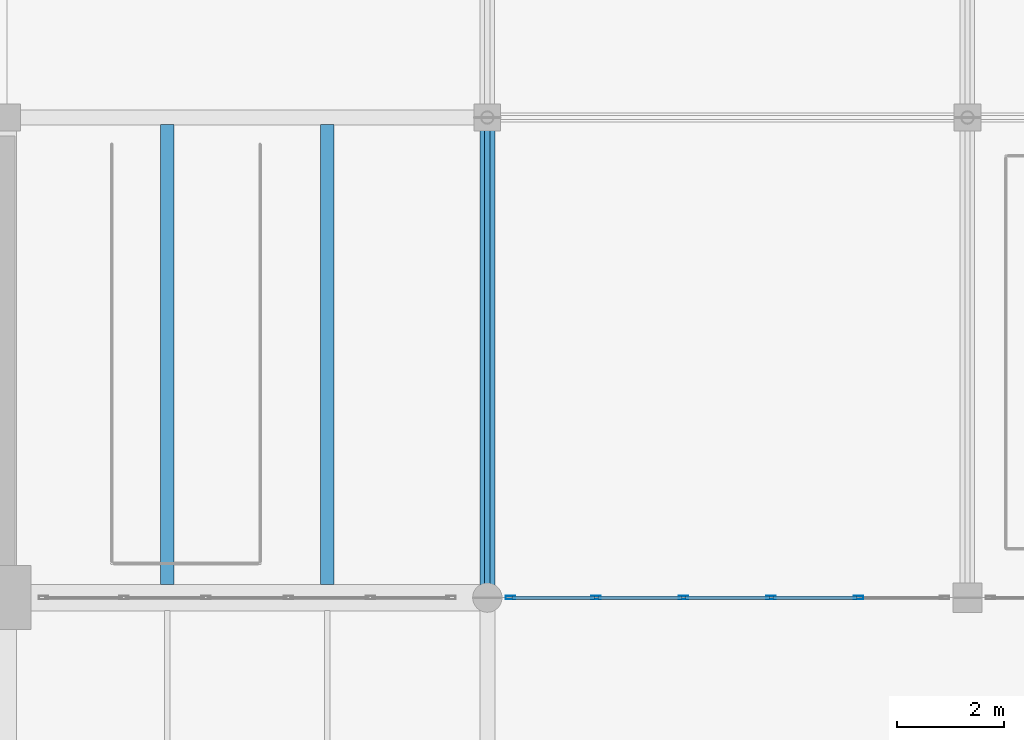
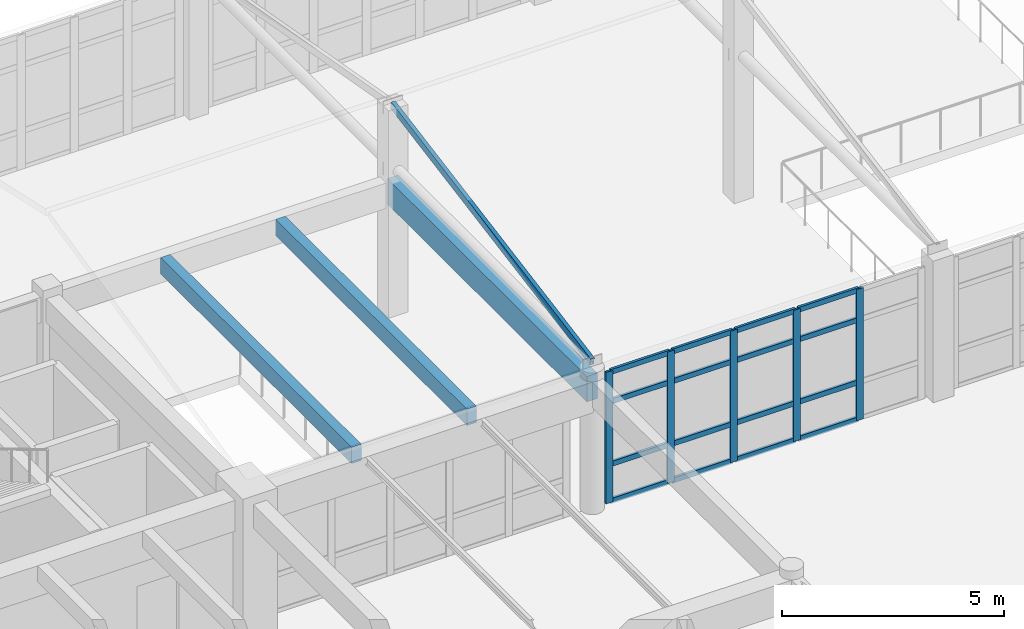
# One storey, part 57 of 156: 22 members, 3 beams, 1 element without a shape of its own.
"""IFC4 building model written with IfcOpenShell, lengths in metres."""

from ifc_helpers import new_model, si_unit, direction, frame, origin, origin_2d, place, context, subcontext, project, spatial, rectangle, hollow_rectangle, extrude, material, layer, layer_set, material_profile, profile_set, type_object, element, aggregate, save


model = new_model("IFC4")

# Units and contexts
model_context = context("Model", 3, precision=1e-05, world=origin(), true_north=direction((0.0, 1.0)))
body_context = subcontext(model_context, "Body", "Model", "MODEL_VIEW")
ifc_project = project(units=[si_unit("LENGTHUNIT", "METRE"), si_unit("AREAUNIT", "SQUARE_METRE"), si_unit("VOLUMEUNIT", "CUBIC_METRE"), si_unit("PLANEANGLEUNIT", "RADIAN"), si_unit("MASSUNIT", "GRAM", prefix="KILO")], contexts=[model_context])

# Site, building, storey
site_placement = place(None, origin())
site = spatial("IfcSite", under=ifc_project, at=site_placement, CompositionType="ELEMENT")
building_placement = place(site_placement, origin())
building = spatial("IfcBuilding", under=site, at=building_placement, Name="Ornek Quay Market", CompositionType="ELEMENT")
storey_placement = place(building_placement, frame((0.0, 0.0, 4.5)))
storey = spatial("IfcBuildingStorey", under=building, at=storey_placement, Name="L01", CompositionType="ELEMENT", Elevation=4.5)

# Beams
ifc_material_1 = material(Name="Concrete C35/45", Category="concrete")
ifc_material_profile_1 = material_profile(ifc_material_1, rectangle(XDim=0.25, YDim=0.449951171875, at=origin_2d()), Name="RC 250x450", Category="concrete")
ifc_profile_set_1 = profile_set([ifc_material_profile_1], Name="Concrete C35/45")
beam_type_1 = type_object("IfcBeamType", Name="BM-SEC-250x450", PredefinedType="JOIST", material=ifc_profile_set_1)
for number, where, z_axis, x_axis, name in (
    (1, (66.0, 92.241943359375, 3.43505859375), (0.0, 1.0, 0.0), (-1.0, 0.0, 0.0), "Secondary joist B-SC3-023"),
    (2, (69.0, 92.241943359375, 3.43505859375), (0.0, 1.0, 0.0), (-1.0, 0.0, 0.0), "Secondary joist B-SC3-024"),
):
    element("IfcBeam", number, at=place(storey_placement, frame(where, z_axis=z_axis, x_axis=x_axis)), inside=storey, type_object=beam_type_1, Name=name, PredefinedType="JOIST", context=body_context, shape_type="SweptSolid", body=[
        extrude(rectangle(XDim=0.25, YDim=0.449951171875, at=origin_2d()), origin(), (0.0, 0.0, 1.0), 8.6259765625),
    ])
ifc_material_profile_2 = material_profile(ifc_material_1, rectangle(XDim=0.280029296875, YDim=0.699951171875, at=origin_2d()), Name="RC 280x700", Category="concrete")
ifc_profile_set_2 = profile_set([ifc_material_profile_2], Name="Concrete C35/45")
beam_type_2 = type_object("IfcBeamType", Name="BM-SPN-280x700", PredefinedType="SPANDREL", material=ifc_profile_set_2)
beam_placement = place(storey_placement, frame((72.0, 92.0, 3.31005859375), z_axis=(0.0, 1.0, 0.0), x_axis=(-1.0, 0.0, 0.0)))
element("IfcBeam", 3, at=beam_placement, inside=storey, type_object=beam_type_2, Name="Primary beam B-SP2-068", PredefinedType="SPANDREL", context=body_context, shape_type="SweptSolid", body=[
    extrude(rectangle(XDim=0.280029296875, YDim=0.699951171875, at=origin_2d()), origin(), (0.0, 0.0, 1.0), 9.0),
])

# Curtain wall, members
ifc_material_2 = material(Name="Anodised bronze aluminium and triple low-e glass", Category="aluminium")
ifc_layer = layer(ifc_material_2, 0.139892578125, Name="Anodised bronze aluminium and triple low-e glass", Category="aluminium")
ifc_layer_set = layer_set([ifc_layer], Name="Anodised bronze aluminium and triple low-e glass")
curtain_wall_type = type_object("IfcCurtainWallType", Name="CW-GALLERY-INT", PredefinedType="USERDEFINED", material=ifc_layer_set)
curtain_wall_placement = place(storey_placement, origin())
curtain_wall = element("IfcCurtainWall", 4, at=curtain_wall_placement, inside=storey, type_object=curtain_wall_type, Name="Curtain wall CW-128", ObjectType="CURTAIN WALL", PredefinedType="USERDEFINED")
ifc_material_3 = material(Name="Anodised aluminium 6063-T6", Category="aluminium")
ifc_material_profile_3 = material_profile(ifc_material_3, hollow_rectangle(XDim=0.06494140625, YDim=0.179931640625, WallThickness=0.00439453125, at=origin_2d()), Name="CW-MUL-65x180", Category="aluminium")
ifc_profile_set_3 = profile_set([ifc_material_profile_3], Name="Anodised aluminium 6063-T6")
member_type_1 = type_object("IfcMemberType", Name="CW-MUL-65x180", PredefinedType="MULLION", material=ifc_profile_set_3)
member_1_placement = place(storey_placement, frame((72.4326171875, 92.0, 0.0), z_axis=(0.0, 0.0, 1.0), x_axis=(0.0, 1.0, 0.0)))
member_1 = element("IfcMember", 5, at=member_1_placement, type_object=member_type_1, Name="CW-128 mullion 1", PredefinedType="MULLION", context=body_context, shape_type="SweptSolid", body=[
    extrude(hollow_rectangle(XDim=0.06494140625, YDim=0.179931640625, WallThickness=0.00439453125, at=origin_2d()), origin(), (0.0, 0.0, 1.0), 3.6201171875),
])
member_2_placement = place(storey_placement, frame((74.0400390625, 92.0, 0.0), z_axis=(0.0, 0.0, 1.0), x_axis=(0.0, 1.0, 0.0)))
member_2 = element("IfcMember", 6, at=member_2_placement, type_object=member_type_1, Name="CW-128 mullion 2", PredefinedType="MULLION", context=body_context, shape_type="SweptSolid", body=[
    extrude(hollow_rectangle(XDim=0.06494140625, YDim=0.179931640625, WallThickness=0.00439453125, at=origin_2d()), origin(), (0.0, 0.0, 1.0), 3.6201171875),
])
member_3_placement = place(storey_placement, frame((75.679931640625, 92.0, 0.0), z_axis=(0.0, 0.0, 1.0), x_axis=(0.0, 1.0, 0.0)))
member_3 = element("IfcMember", 7, at=member_3_placement, type_object=member_type_1, Name="CW-128 mullion 3", PredefinedType="MULLION", context=body_context, shape_type="SweptSolid", body=[
    extrude(hollow_rectangle(XDim=0.06494140625, YDim=0.179931640625, WallThickness=0.00439453125, at=origin_2d()), origin(), (0.0, 0.0, 1.0), 3.6201171875),
])
member_4_placement = place(storey_placement, frame((77.320068359375, 92.0, 0.0), z_axis=(0.0, 0.0, 1.0), x_axis=(0.0, 1.0, 0.0)))
member_4 = element("IfcMember", 8, at=member_4_placement, type_object=member_type_1, Name="CW-128 mullion 4", PredefinedType="MULLION", context=body_context, shape_type="SweptSolid", body=[
    extrude(hollow_rectangle(XDim=0.06494140625, YDim=0.179931640625, WallThickness=0.00439453125, at=origin_2d()), origin(), (0.0, 0.0, 1.0), 3.6201171875),
])
member_5_placement = place(storey_placement, frame((78.9599609375, 92.0, 0.0), z_axis=(0.0, 0.0, 1.0), x_axis=(0.0, 1.0, 0.0)))
member_5 = element("IfcMember", 9, at=member_5_placement, type_object=member_type_1, Name="CW-128 mullion 5", PredefinedType="MULLION", context=body_context, shape_type="SweptSolid", body=[
    extrude(hollow_rectangle(XDim=0.06494140625, YDim=0.179931640625, WallThickness=0.00439453125, at=origin_2d()), origin(), (0.0, 0.0, 1.0), 3.6201171875),
])
ifc_material_profile_4 = material_profile(ifc_material_3, hollow_rectangle(XDim=0.06494140625, YDim=0.139892578125, WallThickness=0.00439453125, at=origin_2d()), Name="CW-TRN-65x140", Category="aluminium")
ifc_profile_set_4 = profile_set([ifc_material_profile_4], Name="Anodised aluminium 6063-T6")
member_type_2 = type_object("IfcMemberType", Name="CW-TRN-65x140", PredefinedType="USERDEFINED", material=ifc_profile_set_4)
member_6_placement = place(storey_placement, frame((72.465087890625, 92.0, 0.032470703125), z_axis=(1.0, 0.0, 0.0), x_axis=(0.0, 1.0, 0.0)))
member_6 = element("IfcMember", 10, at=member_6_placement, type_object=member_type_2, Name="CW-128 transom 1.1", ObjectType="TRANSOM", PredefinedType="USERDEFINED", context=body_context, shape_type="SweptSolid", body=[
    extrude(hollow_rectangle(XDim=0.06494140625, YDim=0.139892578125, WallThickness=0.00439453125, at=origin_2d()), origin(), (0.0, 0.0, 1.0), 1.54248046875),
])
member_7_placement = place(storey_placement, frame((72.465087890625, 92.0, 1.050048828125), z_axis=(1.0, 0.0, 0.0), x_axis=(0.0, 1.0, 0.0)))
member_7 = element("IfcMember", 11, at=member_7_placement, type_object=member_type_2, Name="CW-128 transom 1.2", ObjectType="TRANSOM", PredefinedType="USERDEFINED", context=body_context, shape_type="SweptSolid", body=[
    extrude(hollow_rectangle(XDim=0.06494140625, YDim=0.139892578125, WallThickness=0.00439453125, at=origin_2d()), origin(), (0.0, 0.0, 1.0), 1.54248046875),
])
member_8_placement = place(storey_placement, frame((72.465087890625, 92.0, 2.77001953125), z_axis=(1.0, 0.0, 0.0), x_axis=(0.0, 1.0, 0.0)))
member_8 = element("IfcMember", 12, at=member_8_placement, type_object=member_type_2, Name="CW-128 transom 1.3", ObjectType="TRANSOM", PredefinedType="USERDEFINED", context=body_context, shape_type="SweptSolid", body=[
    extrude(hollow_rectangle(XDim=0.06494140625, YDim=0.139892578125, WallThickness=0.00439453125, at=origin_2d()), origin(), (0.0, 0.0, 1.0), 1.54248046875),
])
member_9_placement = place(storey_placement, frame((72.465087890625, 92.0, 3.58740234375), z_axis=(1.0, 0.0, 0.0), x_axis=(0.0, 1.0, 0.0)))
member_9 = element("IfcMember", 13, at=member_9_placement, type_object=member_type_2, Name="CW-128 transom 1.4", ObjectType="TRANSOM", PredefinedType="USERDEFINED", context=body_context, shape_type="SweptSolid", body=[
    extrude(hollow_rectangle(XDim=0.06494140625, YDim=0.139892578125, WallThickness=0.00439453125, at=origin_2d()), origin(), (0.0, 0.0, 1.0), 1.54248046875),
])
member_10_placement = place(storey_placement, frame((74.072509765625, 92.0, 0.032470703125), z_axis=(1.0, 0.0, 0.0), x_axis=(0.0, 1.0, 0.0)))
member_10 = element("IfcMember", 14, at=member_10_placement, type_object=member_type_2, Name="CW-128 transom 2.1", ObjectType="TRANSOM", PredefinedType="USERDEFINED", context=body_context, shape_type="SweptSolid", body=[
    extrude(hollow_rectangle(XDim=0.06494140625, YDim=0.139892578125, WallThickness=0.00439453125, at=origin_2d()), origin(), (0.0, 0.0, 1.0), 1.574951171875),
])
member_11_placement = place(storey_placement, frame((74.072509765625, 92.0, 1.050048828125), z_axis=(1.0, 0.0, 0.0), x_axis=(0.0, 1.0, 0.0)))
member_11 = element("IfcMember", 15, at=member_11_placement, type_object=member_type_2, Name="CW-128 transom 2.2", ObjectType="TRANSOM", PredefinedType="USERDEFINED", context=body_context, shape_type="SweptSolid", body=[
    extrude(hollow_rectangle(XDim=0.06494140625, YDim=0.139892578125, WallThickness=0.00439453125, at=origin_2d()), origin(), (0.0, 0.0, 1.0), 1.574951171875),
])
member_12_placement = place(storey_placement, frame((74.072509765625, 92.0, 2.77001953125), z_axis=(1.0, 0.0, 0.0), x_axis=(0.0, 1.0, 0.0)))
member_12 = element("IfcMember", 16, at=member_12_placement, type_object=member_type_2, Name="CW-128 transom 2.3", ObjectType="TRANSOM", PredefinedType="USERDEFINED", context=body_context, shape_type="SweptSolid", body=[
    extrude(hollow_rectangle(XDim=0.06494140625, YDim=0.139892578125, WallThickness=0.00439453125, at=origin_2d()), origin(), (0.0, 0.0, 1.0), 1.574951171875),
])
member_13_placement = place(storey_placement, frame((74.072509765625, 92.0, 3.58740234375), z_axis=(1.0, 0.0, 0.0), x_axis=(0.0, 1.0, 0.0)))
member_13 = element("IfcMember", 17, at=member_13_placement, type_object=member_type_2, Name="CW-128 transom 2.4", ObjectType="TRANSOM", PredefinedType="USERDEFINED", context=body_context, shape_type="SweptSolid", body=[
    extrude(hollow_rectangle(XDim=0.06494140625, YDim=0.139892578125, WallThickness=0.00439453125, at=origin_2d()), origin(), (0.0, 0.0, 1.0), 1.574951171875),
])
member_14_placement = place(storey_placement, frame((75.71240234375, 92.0, 0.032470703125), z_axis=(1.0, 0.0, 0.0), x_axis=(0.0, 1.0, 0.0)))
member_14 = element("IfcMember", 18, at=member_14_placement, type_object=member_type_2, Name="CW-128 transom 3.1", ObjectType="TRANSOM", PredefinedType="USERDEFINED", context=body_context, shape_type="SweptSolid", body=[
    extrude(hollow_rectangle(XDim=0.06494140625, YDim=0.139892578125, WallThickness=0.00439453125, at=origin_2d()), origin(), (0.0, 0.0, 1.0), 1.5751953125),
])
member_15_placement = place(storey_placement, frame((75.71240234375, 92.0, 1.050048828125), z_axis=(1.0, 0.0, 0.0), x_axis=(0.0, 1.0, 0.0)))
member_15 = element("IfcMember", 19, at=member_15_placement, type_object=member_type_2, Name="CW-128 transom 3.2", ObjectType="TRANSOM", PredefinedType="USERDEFINED", context=body_context, shape_type="SweptSolid", body=[
    extrude(hollow_rectangle(XDim=0.06494140625, YDim=0.139892578125, WallThickness=0.00439453125, at=origin_2d()), origin(), (0.0, 0.0, 1.0), 1.5751953125),
])
member_16_placement = place(storey_placement, frame((75.71240234375, 92.0, 2.77001953125), z_axis=(1.0, 0.0, 0.0), x_axis=(0.0, 1.0, 0.0)))
member_16 = element("IfcMember", 20, at=member_16_placement, type_object=member_type_2, Name="CW-128 transom 3.3", ObjectType="TRANSOM", PredefinedType="USERDEFINED", context=body_context, shape_type="SweptSolid", body=[
    extrude(hollow_rectangle(XDim=0.06494140625, YDim=0.139892578125, WallThickness=0.00439453125, at=origin_2d()), origin(), (0.0, 0.0, 1.0), 1.5751953125),
])
member_17_placement = place(storey_placement, frame((75.71240234375, 92.0, 3.58740234375), z_axis=(1.0, 0.0, 0.0), x_axis=(0.0, 1.0, 0.0)))
member_17 = element("IfcMember", 21, at=member_17_placement, type_object=member_type_2, Name="CW-128 transom 3.4", ObjectType="TRANSOM", PredefinedType="USERDEFINED", context=body_context, shape_type="SweptSolid", body=[
    extrude(hollow_rectangle(XDim=0.06494140625, YDim=0.139892578125, WallThickness=0.00439453125, at=origin_2d()), origin(), (0.0, 0.0, 1.0), 1.5751953125),
])
member_18_placement = place(storey_placement, frame((77.3525390625, 92.0, 0.032470703125), z_axis=(1.0, 0.0, 0.0), x_axis=(0.0, 1.0, 0.0)))
member_18 = element("IfcMember", 22, at=member_18_placement, type_object=member_type_2, Name="CW-128 transom 4.1", ObjectType="TRANSOM", PredefinedType="USERDEFINED", context=body_context, shape_type="SweptSolid", body=[
    extrude(hollow_rectangle(XDim=0.06494140625, YDim=0.139892578125, WallThickness=0.00439453125, at=origin_2d()), origin(), (0.0, 0.0, 1.0), 1.574951171875),
])
member_19_placement = place(storey_placement, frame((77.3525390625, 92.0, 1.050048828125), z_axis=(1.0, 0.0, 0.0), x_axis=(0.0, 1.0, 0.0)))
member_19 = element("IfcMember", 23, at=member_19_placement, type_object=member_type_2, Name="CW-128 transom 4.2", ObjectType="TRANSOM", PredefinedType="USERDEFINED", context=body_context, shape_type="SweptSolid", body=[
    extrude(hollow_rectangle(XDim=0.06494140625, YDim=0.139892578125, WallThickness=0.00439453125, at=origin_2d()), origin(), (0.0, 0.0, 1.0), 1.574951171875),
])
member_20_placement = place(storey_placement, frame((77.3525390625, 92.0, 2.77001953125), z_axis=(1.0, 0.0, 0.0), x_axis=(0.0, 1.0, 0.0)))
member_20 = element("IfcMember", 24, at=member_20_placement, type_object=member_type_2, Name="CW-128 transom 4.3", ObjectType="TRANSOM", PredefinedType="USERDEFINED", context=body_context, shape_type="SweptSolid", body=[
    extrude(hollow_rectangle(XDim=0.06494140625, YDim=0.139892578125, WallThickness=0.00439453125, at=origin_2d()), origin(), (0.0, 0.0, 1.0), 1.574951171875),
])
member_21_placement = place(storey_placement, frame((77.3525390625, 92.0, 3.58740234375), z_axis=(1.0, 0.0, 0.0), x_axis=(0.0, 1.0, 0.0)))
member_21 = element("IfcMember", 25, at=member_21_placement, type_object=member_type_2, Name="CW-128 transom 4.4", ObjectType="TRANSOM", PredefinedType="USERDEFINED", context=body_context, shape_type="SweptSolid", body=[
    extrude(hollow_rectangle(XDim=0.06494140625, YDim=0.139892578125, WallThickness=0.00439453125, at=origin_2d()), origin(), (0.0, 0.0, 1.0), 1.574951171875),
])
aggregate(curtain_wall, [member_1, member_2, member_3, member_4, member_5, member_6, member_7, member_8, member_9, member_10, member_11, member_12, member_13, member_14, member_15, member_16, member_17, member_18, member_19, member_20, member_21])

# Member
ifc_material_4 = material(Name="Steel S355", Category="steel")
ifc_material_profile_5 = material_profile(ifc_material_4, hollow_rectangle(XDim=0.10009765625, YDim=0.199951171875, WallThickness=0.008056640625, at=origin_2d()), Name="MBR-RAF-100x200", Category="steel")
ifc_profile_set_5 = profile_set([ifc_material_profile_5], Name="Steel S355")
member_type_3 = type_object("IfcMemberType", Name="MBR-RAF-100x200", PredefinedType="RAFTER", material=ifc_profile_set_5)
member_22_placement = place(storey_placement, frame((72.0, 92.0, 4.030029296875), z_axis=(0.0, 0.984185744367, 0.177139551158), x_axis=(-1.0, 0.0, 0.0)))
element("IfcMember", 26, at=member_22_placement, inside=storey, type_object=member_type_3, Name="Concourse skylight rafter C-72-S", PredefinedType="RAFTER", context=body_context, shape_type="SweptSolid", body=[
    extrude(hollow_rectangle(XDim=0.10009765625, YDim=0.199951171875, WallThickness=0.008056640625, at=origin_2d()), origin(), (0.0, 0.0, 1.0), 9.14453125),
])

save(model, "model.ifc")
